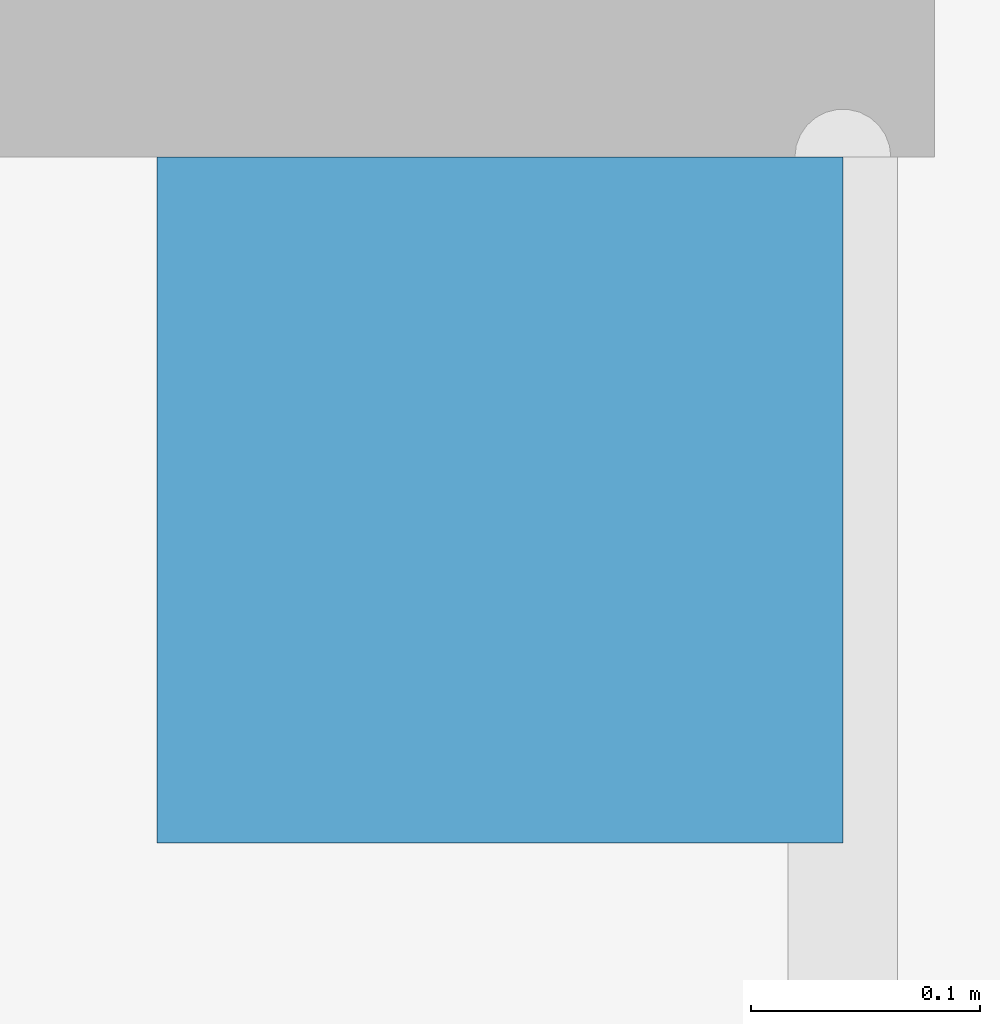
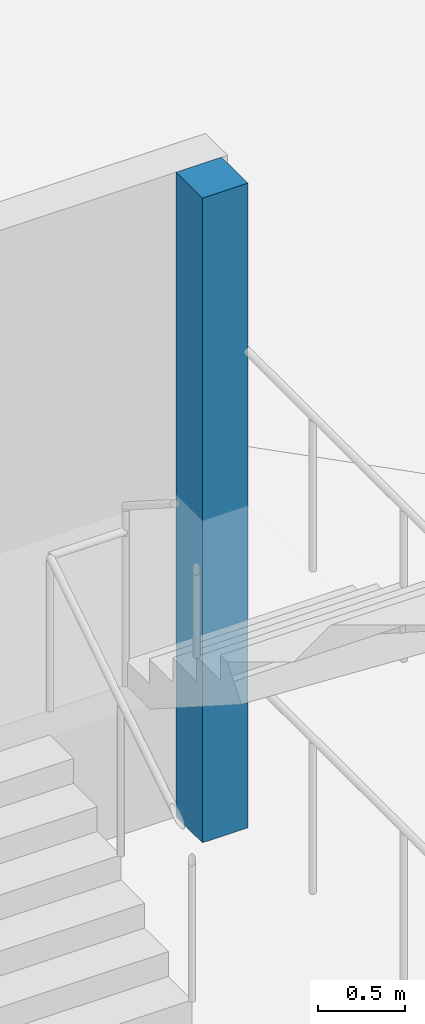
# One storey, part 7 of 30: 1 member.
"""IFC4 building model written with IfcOpenShell, lengths in metres."""

import ifcopenshell
import ifcopenshell.guid

model = None  # the IFC model being written
_history = None  # IfcOwnerHistory: only IFC2X3 demands one
_inside = {}  # id of a spatial element -> (the spatial element, [elements in it])
_under = {}  # id of a project, library or spatial element -> (it, [spatial elements below it])
_declared = {}  # id of a project -> (the project, [libraries it declares])
_typed = {}  # id of a type object -> (the type object, [elements of that type])
_made_of = {}  # id of a material, layer set ... -> (it, [elements and type objects made of it])


def new_model(schema):
    """Start an empty IFC model of exactly this schema.

    Asked for "IFC4X3", IfcOpenShell would pick the latest addendum, in which some entities
    have other attributes; the version numbers below select the first issue.
    IFC2X3 requires an IfcOwnerHistory on every rooted entity: one is made here for all.
    """
    global model, _history
    if schema == "IFC4X3":
        model = ifcopenshell.file(schema_version=(4, 3, 0, 0))
    else:
        model = ifcopenshell.file(schema=schema)
    _inside.clear()
    _under.clear()
    _declared.clear()
    _typed.clear()
    _made_of.clear()
    _history = None
    if model.schema == "IFC2X3":
        org = make("IfcOrganization", Name="unknown")
        user = make(
            "IfcPersonAndOrganization",
            ThePerson=make("IfcPerson", FamilyName="unknown"),
            TheOrganization=org,
        )
        app = make(
            "IfcApplication",
            ApplicationDeveloper=org,
            Version="unknown",
            ApplicationFullName="unknown",
            ApplicationIdentifier="unknown",
        )
        _history = make(
            "IfcOwnerHistory",
            OwningUser=user,
            OwningApplication=app,
            ChangeAction="ADDED",
            CreationDate=0,
        )
    return model


def make(cls, **values):
    """One entity of the class cls with the attributes given. An attribute that is None is left unset."""
    return model.create_entity(
        cls, **{name: value for name, value in values.items() if value is not None}
    )


def rooted(cls, **values):
    """An entity with a GlobalId (a new one), such as an element, a storey or a relation."""
    return make(cls, GlobalId=ifcopenshell.guid.new(), OwnerHistory=_history, **values)


def si_unit(unit_type, name, prefix=None):
    """IfcSIUnit, for example si_unit("LENGTHUNIT", "METRE", prefix="MILLI")."""
    return make("IfcSIUnit", UnitType=unit_type, Prefix=prefix, Name=name)


def assignment(units):
    """IfcUnitAssignment: the units of a project."""
    return None if units is None else make("IfcUnitAssignment", Units=units)


def point(xyz):
    """IfcCartesianPoint."""
    return None if xyz is None else make("IfcCartesianPoint", Coordinates=xyz)


def direction(xyz):
    """IfcDirection."""
    return None if xyz is None else make("IfcDirection", DirectionRatios=xyz)


def frame(location, z_axis=None, x_axis=None):
    """IfcAxis2Placement3D, a coordinate frame: its origin and axes. An axis left out is left unset."""
    return make(
        "IfcAxis2Placement3D",
        Location=point(location),
        Axis=direction(z_axis),
        RefDirection=direction(x_axis),
    )


def frame_2d(location, x_axis=None):
    """IfcAxis2Placement2D, a coordinate frame in the plane: its origin and x axis."""
    return make(
        "IfcAxis2Placement2D", Location=point(location), RefDirection=direction(x_axis)
    )


def origin():
    """The frame at (0, 0, 0) with its axes left unset."""
    return frame((0.0, 0.0, 0.0))


def origin_2d():
    """The frame at (0, 0) in the plane with its x axis left unset."""
    return frame_2d((0.0, 0.0))


def place(relative_to, where):
    """IfcLocalPlacement: puts the frame where relative to a parent placement (None: the world)."""
    return make(
        "IfcLocalPlacement", PlacementRelTo=relative_to, RelativePlacement=where
    )


def context(
    kind, dimensions, precision=None, world=None, true_north=None, identifier=None
):
    """IfcGeometricRepresentationContext, for example the 3D "Model" context."""
    return make(
        "IfcGeometricRepresentationContext",
        ContextIdentifier=identifier,
        ContextType=kind,
        CoordinateSpaceDimension=dimensions,
        Precision=precision,
        WorldCoordinateSystem=world,
        TrueNorth=true_north,
    )


def subcontext(parent, identifier, kind, view, scale=None):
    """IfcGeometricRepresentationSubContext, for example "Body" below "Model"."""
    return make(
        "IfcGeometricRepresentationSubContext",
        ContextIdentifier=identifier,
        ContextType=kind,
        ParentContext=parent,
        TargetScale=scale,
        TargetView=view,
    )


def project(units=None, contexts=None):
    """IfcProject with its units and contexts."""
    return rooted(
        "IfcProject",
        Name="project",
        RepresentationContexts=contexts,
        UnitsInContext=assignment(units),
    )


def spatial(cls, under=None, at=None, **own):
    """A site, building, storey or space (cls), placed at a placement, below another one or the project."""
    s = rooted(cls, ObjectPlacement=at, **own)
    if under is not None:
        _under.setdefault(under.id(), (under, []))[1].append(s)
    return s


def profile(cls, at=None, kind="AREA", **sizes):
    """A parametric profile (cls). Its sizes go by their IFC names, for example OverallWidth=200.0."""
    return make(cls, ProfileType=kind, Position=at, **sizes)


def rectangle(**sizes):
    """IfcRectangleProfileDef."""
    return profile("IfcRectangleProfileDef", **sizes)


def extrude(swept, where, along, depth):
    """IfcExtrudedAreaSolid: the profile swept, set in the frame where, extruded along a direction by depth."""
    return make(
        "IfcExtrudedAreaSolid",
        SweptArea=swept,
        Position=where,
        ExtrudedDirection=direction(along),
        Depth=depth,
    )


def shape(context_of_items, identifier, shape_type, items):
    """IfcShapeRepresentation: the items that make up one representation, for example the "Body"."""
    return make(
        "IfcShapeRepresentation",
        ContextOfItems=context_of_items,
        RepresentationIdentifier=identifier,
        RepresentationType=shape_type,
        Items=items,
    )


def material(Name=None, Category=None):
    """IfcMaterial."""
    return make("IfcMaterial", Name=Name, Category=Category)


def material_profile(
    of_material, cross_section, Name=None, Category=None, Priority=None
):
    """IfcMaterialProfile: a cross section and its material."""
    return make(
        "IfcMaterialProfile",
        Name=Name,
        Material=of_material,
        Profile=cross_section,
        Priority=Priority,
        Category=Category,
    )


def profile_set(profiles, Name=None, composite=None):
    """IfcMaterialProfileSet."""
    return make(
        "IfcMaterialProfileSet",
        Name=Name,
        MaterialProfiles=profiles,
        CompositeProfile=composite,
    )


def made_of(thing, what):
    """Note that an element or type object is made of a material, layer set ...; save() writes the relation."""
    if what is not None:
        _made_of.setdefault(what.id(), (what, []))[1].append(thing)
    return thing


def type_object(cls, material=None, **own):
    """A type object (cls), such as IfcWallType, which elements share."""
    return made_of(rooted(cls, **own), material)


def element(
    cls,
    number,
    at=None,
    inside=None,
    cuts=None,
    type_object=None,
    material=None,
    context=None,
    identifier="Body",
    shape_type=None,
    held_by="IfcProductDefinitionShape",
    body=None,
    shapes=None,
    **own,
):
    """One element of the class cls, such as IfcWall. Its Tag is "e" and its number.

    at: its placement. inside: the storey or other place that contains it. cuts: it is an
    opening in that element (IfcRelVoidsElement). A single representation is given by context,
    identifier, shape_type and body (its items); several are given by shapes. held_by: the class
    of the entity that holds the representations. save() writes the other relations.
    """
    e = rooted(cls, Tag="e%d" % number, ObjectPlacement=at, **own)
    if body is not None:
        shapes = [shape(context, identifier, shape_type, body)]
    if shapes is not None:
        e.Representation = make(held_by, Representations=shapes)
    if inside is not None:
        _inside.setdefault(inside.id(), (inside, []))[1].append(e)
    if cuts is not None:
        rooted(
            "IfcRelVoidsElement", RelatingBuildingElement=cuts, RelatedOpeningElement=e
        )
    if type_object is not None:
        _typed.setdefault(type_object.id(), (type_object, []))[1].append(e)
    return made_of(e, material)


def aggregate(whole, parts):
    """IfcRelAggregates: a whole, such as a stair, and the parts it consists of."""
    return rooted("IfcRelAggregates", RelatingObject=whole, RelatedObjects=parts)


def save(model, path):
    """Write the relations noted so far, then the file.

    IfcRelAggregates (storeys below a building ...), IfcRelContainedInSpatialStructure (elements
    in a storey), IfcRelDefinesByType, IfcRelAssociatesMaterial and IfcRelDeclares: one each for
    every whole, place, type object, material and project.
    """
    for whole, parts in _under.values():
        aggregate(whole, parts)
    for where, things in _inside.values():
        rooted(
            "IfcRelContainedInSpatialStructure",
            RelatedElements=things,
            RelatingStructure=where,
        )
    for kind, things in _typed.values():
        rooted("IfcRelDefinesByType", RelatedObjects=things, RelatingType=kind)
    for what, things in _made_of.values():
        rooted("IfcRelAssociatesMaterial", RelatedObjects=things, RelatingMaterial=what)
    for by, libraries in _declared.values():
        rooted("IfcRelDeclares", RelatingContext=by, RelatedDefinitions=libraries)
    model.write(path)


model = new_model("IFC4")

# Units and contexts
model_context = context("Model", 3, precision=1e-05, world=origin(), true_north=direction((0.0, 1.0)))
body_context = subcontext(model_context, "Body", "Model", "MODEL_VIEW")
ifc_project = project(units=[si_unit("LENGTHUNIT", "METRE"), si_unit("AREAUNIT", "SQUARE_METRE"), si_unit("VOLUMEUNIT", "CUBIC_METRE"), si_unit("PLANEANGLEUNIT", "RADIAN"), si_unit("MASSUNIT", "GRAM", prefix="KILO")], contexts=[model_context])

# Site, building, storey
site_placement = place(None, origin())
site = spatial("IfcSite", under=ifc_project, at=site_placement, CompositionType="ELEMENT")
building_placement = place(site_placement, origin())
building = spatial("IfcBuilding", under=site, at=building_placement, Name="Cinnabar Reach Civic Tower", CompositionType="ELEMENT")
storey_placement = place(building_placement, frame((0.0, 0.0, -14.0)))
storey = spatial("IfcBuildingStorey", under=building, at=storey_placement, Name="B3", CompositionType="ELEMENT", Elevation=-14.0)

# Member
ifc_material = material(Name="Concrete C40", Category="concrete")
ifc_material_profile = material_profile(ifc_material, rectangle(XDim=0.3, YDim=0.3, at=origin_2d()), Name="C300")
ifc_profile_set = profile_set([ifc_material_profile], Name="Concrete C40")
member_type = type_object("IfcMemberType", Name="T2 stair post 300", PredefinedType="STRUT", material=ifc_profile_set)
member_placement = place(storey_placement, frame((-27.55, 41.6, 0.0), z_axis=(0.0, 0.0, 1.0), x_axis=(1.0, 0.0, 0.0)))
element("IfcMember", 1, at=member_placement, inside=storey, type_object=member_type, Name="Stair post 2", PredefinedType="STRUT", context=body_context, shape_type="SweptSolid", body=[
    extrude(rectangle(XDim=0.3, YDim=0.3, at=origin_2d()), origin(), (0.0, 0.0, 1.0), 4.5),
])

save(model, "model.ifc")
